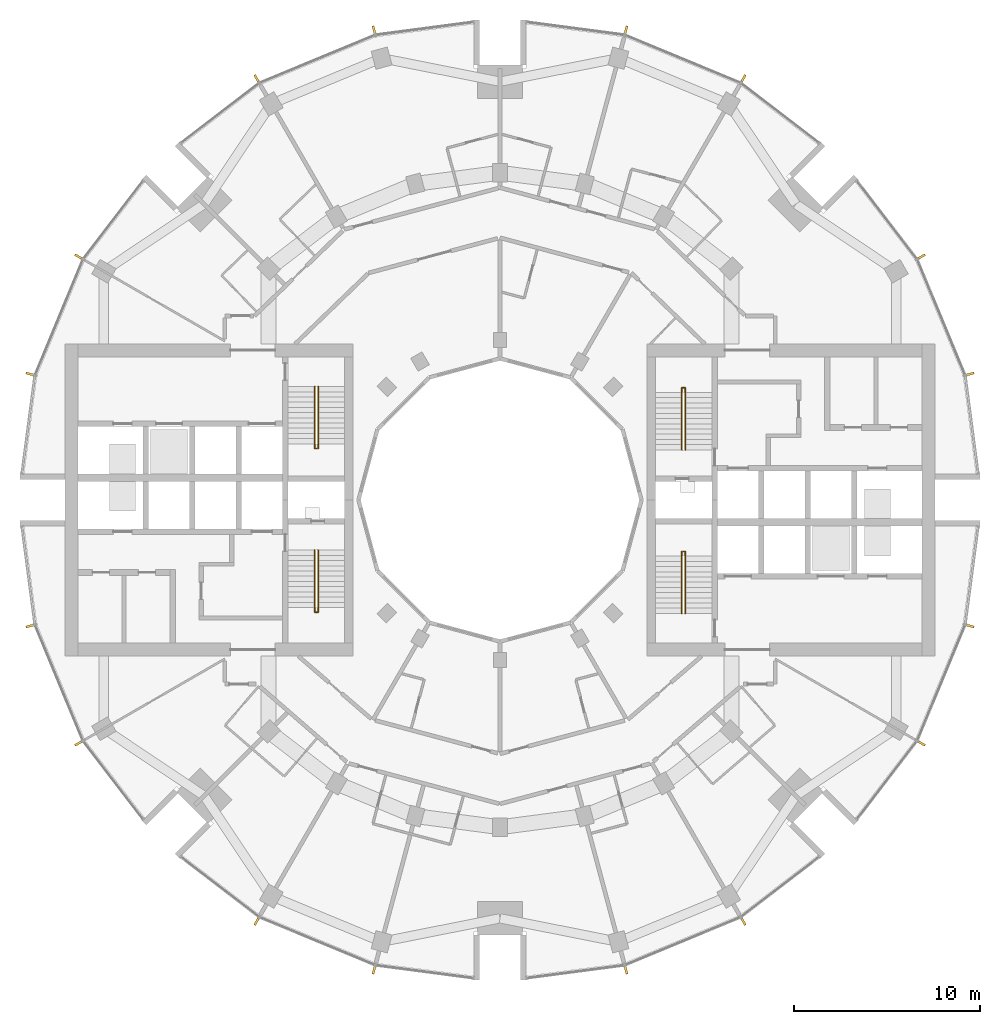
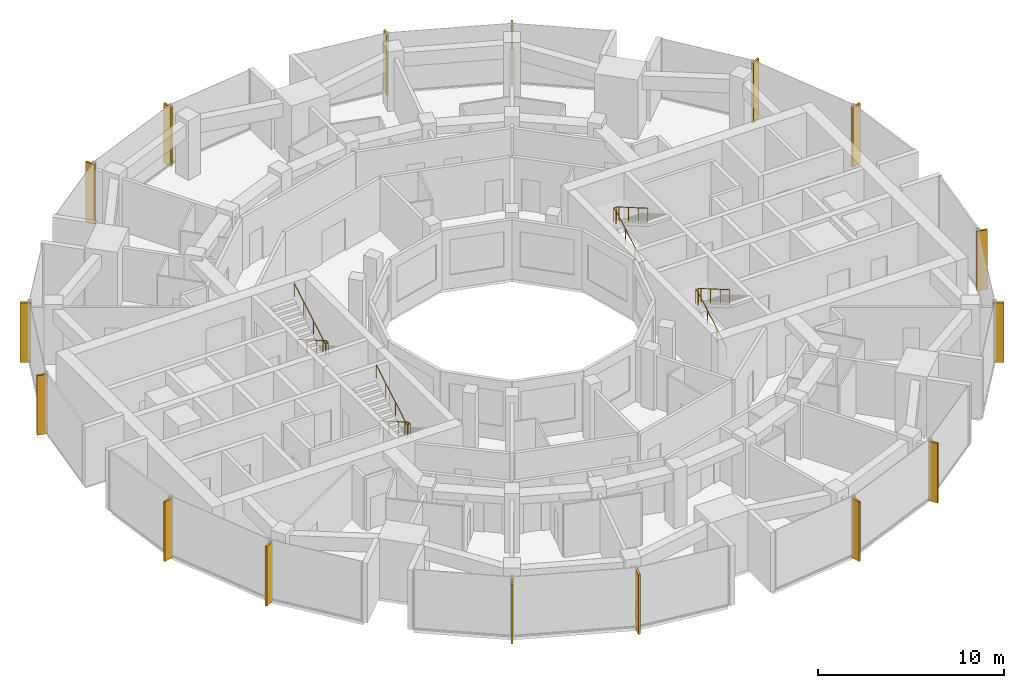
# One storey, part 14 of 15: 16 shading devices, 4 railings.
"""IFC4 building model written with IfcOpenShell, lengths in metres."""

from ifc_helpers import new_model, si_unit, direction, frame, origin, origin_2d, place, context, subcontext, project, spatial, rectangle, circle, extrude, material, material_profile, profile_set, type_object, element, save


model = new_model("IFC4")

# Units and contexts
model_context = context("Model", 3, precision=1e-05, world=origin(), true_north=direction((0.0, 1.0)))
body_context = subcontext(model_context, "Body", "Model", "MODEL_VIEW")
ifc_project = project(units=[si_unit("LENGTHUNIT", "METRE"), si_unit("AREAUNIT", "SQUARE_METRE"), si_unit("VOLUMEUNIT", "CUBIC_METRE"), si_unit("PLANEANGLEUNIT", "RADIAN"), si_unit("MASSUNIT", "GRAM", prefix="KILO")], contexts=[model_context])

# Site, building, storey
site_placement = place(None, origin())
site = spatial("IfcSite", under=ifc_project, at=site_placement, CompositionType="ELEMENT")
building_placement = place(site_placement, origin())
building = spatial("IfcBuilding", under=site, at=building_placement, Name="Torre Brocal", CompositionType="ELEMENT")
storey_placement = place(building_placement, frame((0.0, 0.0, 114.60009765625)))
storey = spatial("IfcBuildingStorey", under=building, at=storey_placement, Name="L26", CompositionType="ELEMENT", Elevation=114.60009765625)

# Shading devices
ifc_material_1 = material(Name="Aluminium, black anodised", Category="aluminium")
ifc_material_profile = material_profile(ifc_material_1, rectangle(XDim=0.1201171875, YDim=0.60009765625, at=origin_2d()), Name="FIN 120X600 3900 HIGH")
ifc_profile_set = profile_set([ifc_material_profile], Name="Aluminium, black anodised")
shading_device_type = type_object("IfcShadingDeviceType", Name="FIN 120X600 3900 HIGH", PredefinedType="USERDEFINED", material=ifc_profile_set)
for number, where, z_axis, x_axis, name in (
    (1, (105.208984375, 81.754638671875, -0.150146484375), (0.0, 0.0, 1.0), (-0.258819045103, 0.965925826289, 0.0), "FIN"),
    (2, (102.601806640625, 88.049072265625, -0.150146484375), (0.0, 0.0, 1.0), (-0.5, 0.866025403784, 0.0), "FIN"),
    (3, (93.049072265625, 97.601806640625, -0.150146484375), (0.0, 0.0, 1.0), (-0.866025403784, 0.5, 0.0), "FIN"),
    (4, (86.754638671875, 100.208984375, -0.150146484375), (0.0, 0.0, 1.0), (-0.965925826289, 0.258819045103, 0.0), "FIN"),
    (5, (73.245361328125, 100.208984375, -0.150146484375), (0.0, 0.0, 1.0), (-0.965925826289, -0.258819045103, 0.0), "FIN"),
    (6, (66.950927734375, 97.601806640625, -0.150146484375), (0.0, 0.0, 1.0), (-0.866025403784, -0.5, 0.0), "FIN"),
    (7, (57.398193359375, 88.049072265625, -0.150146484375), (0.0, 0.0, 1.0), (-0.5, -0.866025403784, 0.0), "FIN"),
    (8, (54.791015625, 81.754638671875, -0.150146484375), (0.0, 0.0, 1.0), (-0.258819045103, -0.965925826289, 0.0), "FIN"),
    (9, (54.791015625, 68.245361328125, -0.150146484375), (0.0, 0.0, 1.0), (0.258819045103, -0.965925826289, 0.0), "FIN"),
    (10, (57.398193359375, 61.950927734375, -0.150146484375), (0.0, 0.0, 1.0), (0.5, -0.866025403784, 0.0), "FIN"),
    (11, (66.950927734375, 52.398193359375, -0.150146484375), (0.0, 0.0, 1.0), (0.866025403784, -0.5, 0.0), "FIN"),
    (12, (73.245361328125, 49.791015625, -0.150146484375), (0.0, 0.0, 1.0), (0.965925826289, -0.258819045103, 0.0), "FIN"),
    (13, (86.754638671875, 49.791015625, -0.150146484375), (0.0, 0.0, 1.0), (0.965925826289, 0.258819045103, 0.0), "FIN"),
    (14, (93.049072265625, 52.398193359375, -0.150146484375), (0.0, 0.0, 1.0), (0.866025403784, 0.5, 0.0), "FIN"),
    (15, (102.601806640625, 61.950927734375, -0.150146484375), (0.0, 0.0, 1.0), (0.5, 0.866025403784, 0.0), "FIN"),
    (16, (105.208984375, 68.245361328125, -0.150146484375), (0.0, 0.0, 1.0), (0.258819045103, 0.965925826289, 0.0), "FIN"),
):
    element("IfcShadingDevice", number, at=place(storey_placement, frame(where, z_axis=z_axis, x_axis=x_axis)), inside=storey, type_object=shading_device_type, Name=name, ObjectType="FIN", PredefinedType="USERDEFINED", context=body_context, shape_type="SweptSolid", body=[
        extrude(rectangle(XDim=0.1201171875, YDim=0.60009765625, at=origin_2d()), origin(), (0.0, 0.0, 1.0), 3.900146484375),
    ])

# Railings
ifc_material_2 = material(Name="Stainless steel AISI 316", Category="steel")
railing_type = type_object("IfcRailingType", Name="STAIR HANDRAIL", PredefinedType="HANDRAIL", material=ifc_material_2)
railing_1_placement = place(storey_placement, frame((89.780029296875, 77.699951171875, 0.162353515625)))
element("IfcRailing", 17, at=railing_1_placement, inside=storey, type_object=railing_type, Name="HANDRAIL ST1", PredefinedType="HANDRAIL", context=body_context, shape_type="SweptSolid", body=[
    extrude(circle(Radius=0.02392578125, at=origin_2d()), frame((0.0, 0.0, 0.8759765625), z_axis=(0.0, 0.864890721111, 0.501960198159), x_axis=(-1.0, 0.0, 0.0)), (0.0, 0.0, 1.0), 3.561279296875),
    extrude(circle(Radius=0.02392578125, at=origin_2d()), frame((0.0, 3.080078125, 2.66357421875), z_axis=(0.0, 1.0, 0.0), x_axis=(-1.0, 0.0, 0.0)), (0.0, 0.0, 1.0), 0.25),
    extrude(circle(Radius=0.02392578125, at=origin_2d()), frame((0.0, 3.330078125, 2.66357421875), z_axis=(1.0, 0.0, 0.0), x_axis=(0.0, 1.0, 0.0)), (0.0, 0.0, 1.0), 0.18994140625),
    extrude(circle(Radius=0.02392578125, at=origin_2d()), frame((0.18994140625, 3.330078125, 2.66357421875), z_axis=(0.0, -0.838668089672, 0.544642851203), x_axis=(1.0, 0.0, 0.0)), (0.0, 0.0, 1.0), 0.298095703125),
    extrude(circle(Radius=0.02392578125, at=origin_2d()), frame((0.18994140625, 3.080078125, 2.82568359375), z_axis=(0.0, -0.864890721111, 0.501960198159), x_axis=(1.0, 0.0, 0.0)), (0.0, 0.0, 1.0), 3.561279296875),
    extrude(circle(Radius=0.02099609375, at=origin_2d()), origin(), (0.0, 0.0, 1.0), 0.851806640625),
    extrude(circle(Radius=0.02099609375, at=origin_2d()), frame((0.0, 1.026611328125, 0.595947265625)), (0.0, 0.0, 1.0), 0.851806640625),
    extrude(circle(Radius=0.02099609375, at=origin_2d()), frame((0.0, 2.053466796875, 1.191650390625)), (0.0, 0.0, 1.0), 0.851806640625),
    extrude(circle(Radius=0.02099609375, at=origin_2d()), frame((0.0, 3.080078125, 1.78759765625)), (0.0, 0.0, 1.0), 0.851806640625),
    extrude(circle(Radius=0.02099609375, at=origin_2d()), frame((0.0, 3.330078125, 1.78759765625)), (0.0, 0.0, 1.0), 0.851806640625),
    extrude(circle(Radius=0.02099609375, at=origin_2d()), frame((0.18994140625, 3.330078125, 1.78759765625)), (0.0, 0.0, 1.0), 0.851806640625),
    extrude(circle(Radius=0.02099609375, at=origin_2d()), frame((0.18994140625, 3.080078125, 1.949951171875)), (0.0, 0.0, 1.0), 0.851806640625),
    extrude(circle(Radius=0.02099609375, at=origin_2d()), frame((0.18994140625, 2.053466796875, 2.5458984375)), (0.0, 0.0, 1.0), 0.851806640625),
    extrude(circle(Radius=0.02099609375, at=origin_2d()), frame((0.18994140625, 1.026611328125, 3.1416015625)), (0.0, 0.0, 1.0), 0.851806640625),
    extrude(circle(Radius=0.02099609375, at=origin_2d()), frame((0.18994140625, 0.0, 3.737548828125)), (0.0, 0.0, 1.0), 0.851806640625),
])
railing_2_placement = place(storey_placement, frame((89.780029296875, 68.89990234375, 0.162353515625)))
element("IfcRailing", 18, at=railing_2_placement, inside=storey, type_object=railing_type, Name="HANDRAIL ST2", PredefinedType="HANDRAIL", context=body_context, shape_type="SweptSolid", body=[
    extrude(circle(Radius=0.02392578125, at=origin_2d()), frame((0.0, 0.0, 0.8759765625), z_axis=(0.0, 0.864890721111, 0.501960198159), x_axis=(-1.0, 0.0, 0.0)), (0.0, 0.0, 1.0), 3.561279296875),
    extrude(circle(Radius=0.02392578125, at=origin_2d()), frame((0.0, 3.080078125, 2.66357421875), z_axis=(0.0, 1.0, 0.0), x_axis=(-1.0, 0.0, 0.0)), (0.0, 0.0, 1.0), 0.25),
    extrude(circle(Radius=0.02392578125, at=origin_2d()), frame((0.0, 3.330078125, 2.66357421875), z_axis=(1.0, 0.0, 0.0), x_axis=(0.0, 1.0, 0.0)), (0.0, 0.0, 1.0), 0.18994140625),
    extrude(circle(Radius=0.02392578125, at=origin_2d()), frame((0.18994140625, 3.330078125, 2.66357421875), z_axis=(0.0, -0.838668089672, 0.544642851203), x_axis=(1.0, 0.0, 0.0)), (0.0, 0.0, 1.0), 0.298095703125),
    extrude(circle(Radius=0.02392578125, at=origin_2d()), frame((0.18994140625, 3.080078125, 2.82568359375), z_axis=(0.0, -0.864890721111, 0.501960198159), x_axis=(1.0, 0.0, 0.0)), (0.0, 0.0, 1.0), 3.561279296875),
    extrude(circle(Radius=0.02099609375, at=origin_2d()), origin(), (0.0, 0.0, 1.0), 0.851806640625),
    extrude(circle(Radius=0.02099609375, at=origin_2d()), frame((0.0, 1.026611328125, 0.595947265625)), (0.0, 0.0, 1.0), 0.851806640625),
    extrude(circle(Radius=0.02099609375, at=origin_2d()), frame((0.0, 2.053466796875, 1.191650390625)), (0.0, 0.0, 1.0), 0.851806640625),
    extrude(circle(Radius=0.02099609375, at=origin_2d()), frame((0.0, 3.080078125, 1.78759765625)), (0.0, 0.0, 1.0), 0.851806640625),
    extrude(circle(Radius=0.02099609375, at=origin_2d()), frame((0.0, 3.330078125, 1.78759765625)), (0.0, 0.0, 1.0), 0.851806640625),
    extrude(circle(Radius=0.02099609375, at=origin_2d()), frame((0.18994140625, 3.330078125, 1.78759765625)), (0.0, 0.0, 1.0), 0.851806640625),
    extrude(circle(Radius=0.02099609375, at=origin_2d()), frame((0.18994140625, 3.080078125, 1.949951171875)), (0.0, 0.0, 1.0), 0.851806640625),
    extrude(circle(Radius=0.02099609375, at=origin_2d()), frame((0.18994140625, 2.053466796875, 2.5458984375)), (0.0, 0.0, 1.0), 0.851806640625),
    extrude(circle(Radius=0.02099609375, at=origin_2d()), frame((0.18994140625, 1.026611328125, 3.1416015625)), (0.0, 0.0, 1.0), 0.851806640625),
    extrude(circle(Radius=0.02099609375, at=origin_2d()), frame((0.18994140625, 0.0, 3.737548828125)), (0.0, 0.0, 1.0), 0.851806640625),
])
railing_3_placement = place(storey_placement, frame((70.219970703125, 72.300048828125, 0.162353515625)))
element("IfcRailing", 19, at=railing_3_placement, inside=storey, type_object=railing_type, Name="HANDRAIL ST3", PredefinedType="HANDRAIL", context=body_context, shape_type="SweptSolid", body=[
    extrude(circle(Radius=0.02392578125, at=origin_2d()), frame((0.0, 0.0, 0.8759765625), z_axis=(0.0, -0.864890721111, 0.501960198159), x_axis=(1.0, 0.0, 0.0)), (0.0, 0.0, 1.0), 3.561279296875),
    extrude(circle(Radius=0.02392578125, at=origin_2d()), frame((0.0, -3.080078125, 2.66357421875), z_axis=(0.0, -1.0, 0.0), x_axis=(1.0, 0.0, 0.0)), (0.0, 0.0, 1.0), 0.25),
    extrude(circle(Radius=0.02392578125, at=origin_2d()), frame((0.0, -3.330078125, 2.66357421875), z_axis=(-1.0, 0.0, 0.0), x_axis=(0.0, -1.0, 0.0)), (0.0, 0.0, 1.0), 0.18994140625),
    extrude(circle(Radius=0.02392578125, at=origin_2d()), frame((-0.18994140625, -3.330078125, 2.66357421875), z_axis=(0.0, 0.838668089672, 0.544642851203), x_axis=(-1.0, 0.0, 0.0)), (0.0, 0.0, 1.0), 0.298095703125),
    extrude(circle(Radius=0.02392578125, at=origin_2d()), frame((-0.18994140625, -3.080078125, 2.82568359375), z_axis=(0.0, 0.864890721111, 0.501960198159), x_axis=(-1.0, 0.0, 0.0)), (0.0, 0.0, 1.0), 3.561279296875),
    extrude(circle(Radius=0.02099609375, at=origin_2d()), origin(), (0.0, 0.0, 1.0), 0.851806640625),
    extrude(circle(Radius=0.02099609375, at=origin_2d()), frame((0.0, -1.026611328125, 0.595947265625)), (0.0, 0.0, 1.0), 0.851806640625),
    extrude(circle(Radius=0.02099609375, at=origin_2d()), frame((0.0, -2.053466796875, 1.191650390625)), (0.0, 0.0, 1.0), 0.851806640625),
    extrude(circle(Radius=0.02099609375, at=origin_2d()), frame((0.0, -3.080078125, 1.78759765625)), (0.0, 0.0, 1.0), 0.851806640625),
    extrude(circle(Radius=0.02099609375, at=origin_2d()), frame((0.0, -3.330078125, 1.78759765625)), (0.0, 0.0, 1.0), 0.851806640625),
    extrude(circle(Radius=0.02099609375, at=origin_2d()), frame((-0.18994140625, -3.330078125, 1.78759765625)), (0.0, 0.0, 1.0), 0.851806640625),
    extrude(circle(Radius=0.02099609375, at=origin_2d()), frame((-0.18994140625, -3.080078125, 1.949951171875)), (0.0, 0.0, 1.0), 0.851806640625),
    extrude(circle(Radius=0.02099609375, at=origin_2d()), frame((-0.18994140625, -2.053466796875, 2.5458984375)), (0.0, 0.0, 1.0), 0.851806640625),
    extrude(circle(Radius=0.02099609375, at=origin_2d()), frame((-0.18994140625, -1.026611328125, 3.1416015625)), (0.0, 0.0, 1.0), 0.851806640625),
    extrude(circle(Radius=0.02099609375, at=origin_2d()), frame((-0.18994140625, 0.0, 3.737548828125)), (0.0, 0.0, 1.0), 0.851806640625),
])
railing_4_placement = place(storey_placement, frame((70.219970703125, 81.10009765625, 0.162353515625)))
element("IfcRailing", 20, at=railing_4_placement, inside=storey, type_object=railing_type, Name="HANDRAIL ST4", PredefinedType="HANDRAIL", context=body_context, shape_type="SweptSolid", body=[
    extrude(circle(Radius=0.02392578125, at=origin_2d()), frame((0.0, 0.0, 0.8759765625), z_axis=(0.0, -0.864890721111, 0.501960198159), x_axis=(1.0, 0.0, 0.0)), (0.0, 0.0, 1.0), 3.561279296875),
    extrude(circle(Radius=0.02392578125, at=origin_2d()), frame((0.0, -3.080078125, 2.66357421875), z_axis=(0.0, -1.0, 0.0), x_axis=(1.0, 0.0, 0.0)), (0.0, 0.0, 1.0), 0.25),
    extrude(circle(Radius=0.02392578125, at=origin_2d()), frame((0.0, -3.330078125, 2.66357421875), z_axis=(-1.0, 0.0, 0.0), x_axis=(0.0, -1.0, 0.0)), (0.0, 0.0, 1.0), 0.18994140625),
    extrude(circle(Radius=0.02392578125, at=origin_2d()), frame((-0.18994140625, -3.330078125, 2.66357421875), z_axis=(0.0, 0.838668089672, 0.544642851203), x_axis=(-1.0, 0.0, 0.0)), (0.0, 0.0, 1.0), 0.298095703125),
    extrude(circle(Radius=0.02392578125, at=origin_2d()), frame((-0.18994140625, -3.080078125, 2.82568359375), z_axis=(0.0, 0.864890721111, 0.501960198159), x_axis=(-1.0, 0.0, 0.0)), (0.0, 0.0, 1.0), 3.561279296875),
    extrude(circle(Radius=0.02099609375, at=origin_2d()), origin(), (0.0, 0.0, 1.0), 0.851806640625),
    extrude(circle(Radius=0.02099609375, at=origin_2d()), frame((0.0, -1.026611328125, 0.595947265625)), (0.0, 0.0, 1.0), 0.851806640625),
    extrude(circle(Radius=0.02099609375, at=origin_2d()), frame((0.0, -2.053466796875, 1.191650390625)), (0.0, 0.0, 1.0), 0.851806640625),
    extrude(circle(Radius=0.02099609375, at=origin_2d()), frame((0.0, -3.080078125, 1.78759765625)), (0.0, 0.0, 1.0), 0.851806640625),
    extrude(circle(Radius=0.02099609375, at=origin_2d()), frame((0.0, -3.330078125, 1.78759765625)), (0.0, 0.0, 1.0), 0.851806640625),
    extrude(circle(Radius=0.02099609375, at=origin_2d()), frame((-0.18994140625, -3.330078125, 1.78759765625)), (0.0, 0.0, 1.0), 0.851806640625),
    extrude(circle(Radius=0.02099609375, at=origin_2d()), frame((-0.18994140625, -3.080078125, 1.949951171875)), (0.0, 0.0, 1.0), 0.851806640625),
    extrude(circle(Radius=0.02099609375, at=origin_2d()), frame((-0.18994140625, -2.053466796875, 2.5458984375)), (0.0, 0.0, 1.0), 0.851806640625),
    extrude(circle(Radius=0.02099609375, at=origin_2d()), frame((-0.18994140625, -1.026611328125, 3.1416015625)), (0.0, 0.0, 1.0), 0.851806640625),
    extrude(circle(Radius=0.02099609375, at=origin_2d()), frame((-0.18994140625, 0.0, 3.737548828125)), (0.0, 0.0, 1.0), 0.851806640625),
])

save(model, "model.ifc")
